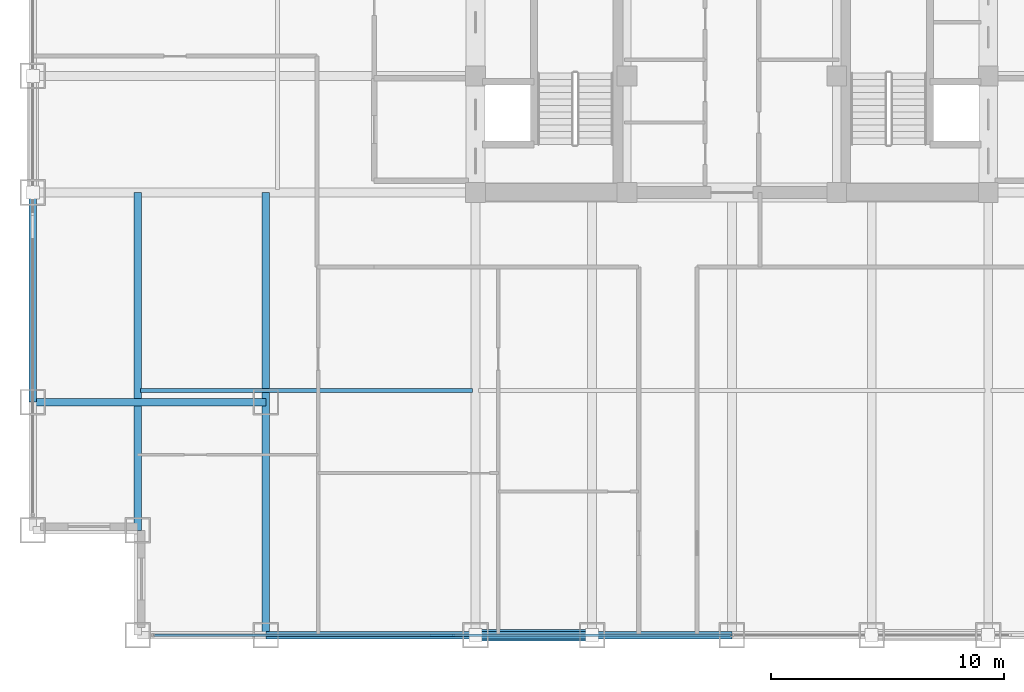
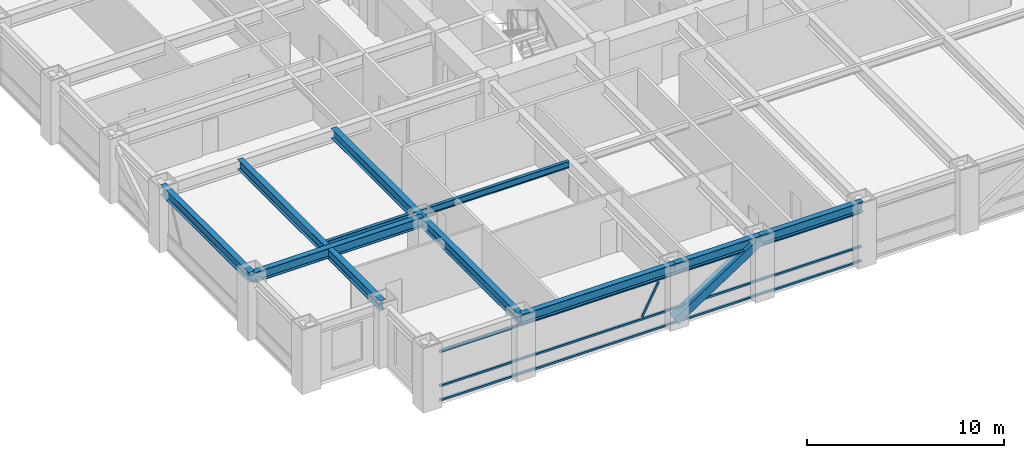
# One storey, part 3 of 24: 8 beams, 5 members, 1 element without a shape of its own.
"""IFC4 building model written with IfcOpenShell, lengths in metres."""

import ifcopenshell
import ifcopenshell.guid

model = None  # the IFC model being written
_history = None  # IfcOwnerHistory: only IFC2X3 demands one
_inside = {}  # id of a spatial element -> (the spatial element, [elements in it])
_under = {}  # id of a project, library or spatial element -> (it, [spatial elements below it])
_declared = {}  # id of a project -> (the project, [libraries it declares])
_typed = {}  # id of a type object -> (the type object, [elements of that type])
_made_of = {}  # id of a material, layer set ... -> (it, [elements and type objects made of it])


def new_model(schema):
    """Start an empty IFC model of exactly this schema.

    Asked for "IFC4X3", IfcOpenShell would pick the latest addendum, in which some entities
    have other attributes; the version numbers below select the first issue.
    IFC2X3 requires an IfcOwnerHistory on every rooted entity: one is made here for all.
    """
    global model, _history
    if schema == "IFC4X3":
        model = ifcopenshell.file(schema_version=(4, 3, 0, 0))
    else:
        model = ifcopenshell.file(schema=schema)
    _inside.clear()
    _under.clear()
    _declared.clear()
    _typed.clear()
    _made_of.clear()
    _history = None
    if model.schema == "IFC2X3":
        org = make("IfcOrganization", Name="unknown")
        user = make(
            "IfcPersonAndOrganization",
            ThePerson=make("IfcPerson", FamilyName="unknown"),
            TheOrganization=org,
        )
        app = make(
            "IfcApplication",
            ApplicationDeveloper=org,
            Version="unknown",
            ApplicationFullName="unknown",
            ApplicationIdentifier="unknown",
        )
        _history = make(
            "IfcOwnerHistory",
            OwningUser=user,
            OwningApplication=app,
            ChangeAction="ADDED",
            CreationDate=0,
        )
    return model


def make(cls, **values):
    """One entity of the class cls with the attributes given. An attribute that is None is left unset."""
    return model.create_entity(
        cls, **{name: value for name, value in values.items() if value is not None}
    )


def rooted(cls, **values):
    """An entity with a GlobalId (a new one), such as an element, a storey or a relation."""
    return make(cls, GlobalId=ifcopenshell.guid.new(), OwnerHistory=_history, **values)


def si_unit(unit_type, name, prefix=None):
    """IfcSIUnit, for example si_unit("LENGTHUNIT", "METRE", prefix="MILLI")."""
    return make("IfcSIUnit", UnitType=unit_type, Prefix=prefix, Name=name)


def assignment(units):
    """IfcUnitAssignment: the units of a project."""
    return None if units is None else make("IfcUnitAssignment", Units=units)


def point(xyz):
    """IfcCartesianPoint."""
    return None if xyz is None else make("IfcCartesianPoint", Coordinates=xyz)


def direction(xyz):
    """IfcDirection."""
    return None if xyz is None else make("IfcDirection", DirectionRatios=xyz)


def frame(location, z_axis=None, x_axis=None):
    """IfcAxis2Placement3D, a coordinate frame: its origin and axes. An axis left out is left unset."""
    return make(
        "IfcAxis2Placement3D",
        Location=point(location),
        Axis=direction(z_axis),
        RefDirection=direction(x_axis),
    )


def frame_2d(location, x_axis=None):
    """IfcAxis2Placement2D, a coordinate frame in the plane: its origin and x axis."""
    return make(
        "IfcAxis2Placement2D", Location=point(location), RefDirection=direction(x_axis)
    )


def origin():
    """The frame at (0, 0, 0) with its axes left unset."""
    return frame((0.0, 0.0, 0.0))


def origin_2d():
    """The frame at (0, 0) in the plane with its x axis left unset."""
    return frame_2d((0.0, 0.0))


def place(relative_to, where):
    """IfcLocalPlacement: puts the frame where relative to a parent placement (None: the world)."""
    return make(
        "IfcLocalPlacement", PlacementRelTo=relative_to, RelativePlacement=where
    )


def context(
    kind, dimensions, precision=None, world=None, true_north=None, identifier=None
):
    """IfcGeometricRepresentationContext, for example the 3D "Model" context."""
    return make(
        "IfcGeometricRepresentationContext",
        ContextIdentifier=identifier,
        ContextType=kind,
        CoordinateSpaceDimension=dimensions,
        Precision=precision,
        WorldCoordinateSystem=world,
        TrueNorth=true_north,
    )


def subcontext(parent, identifier, kind, view, scale=None):
    """IfcGeometricRepresentationSubContext, for example "Body" below "Model"."""
    return make(
        "IfcGeometricRepresentationSubContext",
        ContextIdentifier=identifier,
        ContextType=kind,
        ParentContext=parent,
        TargetScale=scale,
        TargetView=view,
    )


def project(units=None, contexts=None):
    """IfcProject with its units and contexts."""
    return rooted(
        "IfcProject",
        Name="project",
        RepresentationContexts=contexts,
        UnitsInContext=assignment(units),
    )


def spatial(cls, under=None, at=None, **own):
    """A site, building, storey or space (cls), placed at a placement, below another one or the project."""
    s = rooted(cls, ObjectPlacement=at, **own)
    if under is not None:
        _under.setdefault(under.id(), (under, []))[1].append(s)
    return s


def profile(cls, at=None, kind="AREA", **sizes):
    """A parametric profile (cls). Its sizes go by their IFC names, for example OverallWidth=200.0."""
    return make(cls, ProfileType=kind, Position=at, **sizes)


def hollow_rectangle(**sizes):
    """IfcRectangleHollowProfileDef."""
    return profile("IfcRectangleHollowProfileDef", **sizes)


def i_section(**sizes):
    """IfcIShapeProfileDef."""
    return profile("IfcIShapeProfileDef", **sizes)


def extrude(swept, where, along, depth):
    """IfcExtrudedAreaSolid: the profile swept, set in the frame where, extruded along a direction by depth."""
    return make(
        "IfcExtrudedAreaSolid",
        SweptArea=swept,
        Position=where,
        ExtrudedDirection=direction(along),
        Depth=depth,
    )


def shape(context_of_items, identifier, shape_type, items):
    """IfcShapeRepresentation: the items that make up one representation, for example the "Body"."""
    return make(
        "IfcShapeRepresentation",
        ContextOfItems=context_of_items,
        RepresentationIdentifier=identifier,
        RepresentationType=shape_type,
        Items=items,
    )


def source(mapping_origin, context_of_items, identifier, shape_type, items):
    """IfcRepresentationMap: a shape defined once, which mapped items show again and again."""
    return make(
        "IfcRepresentationMap",
        MappingOrigin=mapping_origin,
        MappedRepresentation=shape(context_of_items, identifier, shape_type, items),
    )


def transform(
    local_origin,
    x_axis=None,
    y_axis=None,
    z_axis=None,
    scale=None,
    scale2=None,
    scale3=None,
    uniform=True,
):
    """IfcCartesianTransformationOperator3D, or its non-uniform kind. x_axis, y_axis, z_axis: its Axis1, 2, 3."""
    if uniform:
        return make(
            "IfcCartesianTransformationOperator3D",
            Axis1=direction(x_axis),
            Axis2=direction(y_axis),
            LocalOrigin=point(local_origin),
            Scale=scale,
            Axis3=direction(z_axis),
        )
    return make(
        "IfcCartesianTransformationOperator3DnonUniform",
        Axis1=direction(x_axis),
        Axis2=direction(y_axis),
        LocalOrigin=point(local_origin),
        Scale=scale,
        Axis3=direction(z_axis),
        Scale2=scale2,
        Scale3=scale3,
    )


def mapped(mapping_source, mapping_target):
    """IfcMappedItem: shows the shape of a source again, moved by a transform."""
    return make(
        "IfcMappedItem", MappingSource=mapping_source, MappingTarget=mapping_target
    )


def material(Name=None, Category=None):
    """IfcMaterial."""
    return make("IfcMaterial", Name=Name, Category=Category)


def material_profile(
    of_material, cross_section, Name=None, Category=None, Priority=None
):
    """IfcMaterialProfile: a cross section and its material."""
    return make(
        "IfcMaterialProfile",
        Name=Name,
        Material=of_material,
        Profile=cross_section,
        Priority=Priority,
        Category=Category,
    )


def profile_set(profiles, Name=None, composite=None):
    """IfcMaterialProfileSet."""
    return make(
        "IfcMaterialProfileSet",
        Name=Name,
        MaterialProfiles=profiles,
        CompositeProfile=composite,
    )


def made_of(thing, what):
    """Note that an element or type object is made of a material, layer set ...; save() writes the relation."""
    if what is not None:
        _made_of.setdefault(what.id(), (what, []))[1].append(thing)
    return thing


def type_object(cls, material=None, **own):
    """A type object (cls), such as IfcWallType, which elements share."""
    return made_of(rooted(cls, **own), material)


def element(
    cls,
    number,
    at=None,
    inside=None,
    cuts=None,
    type_object=None,
    material=None,
    context=None,
    identifier="Body",
    shape_type=None,
    held_by="IfcProductDefinitionShape",
    body=None,
    shapes=None,
    **own,
):
    """One element of the class cls, such as IfcWall. Its Tag is "e" and its number.

    at: its placement. inside: the storey or other place that contains it. cuts: it is an
    opening in that element (IfcRelVoidsElement). A single representation is given by context,
    identifier, shape_type and body (its items); several are given by shapes. held_by: the class
    of the entity that holds the representations. save() writes the other relations.
    """
    e = rooted(cls, Tag="e%d" % number, ObjectPlacement=at, **own)
    if body is not None:
        shapes = [shape(context, identifier, shape_type, body)]
    if shapes is not None:
        e.Representation = make(held_by, Representations=shapes)
    if inside is not None:
        _inside.setdefault(inside.id(), (inside, []))[1].append(e)
    if cuts is not None:
        rooted(
            "IfcRelVoidsElement", RelatingBuildingElement=cuts, RelatedOpeningElement=e
        )
    if type_object is not None:
        _typed.setdefault(type_object.id(), (type_object, []))[1].append(e)
    return made_of(e, material)


def aggregate(whole, parts):
    """IfcRelAggregates: a whole, such as a stair, and the parts it consists of."""
    return rooted("IfcRelAggregates", RelatingObject=whole, RelatedObjects=parts)


def save(model, path):
    """Write the relations noted so far, then the file.

    IfcRelAggregates (storeys below a building ...), IfcRelContainedInSpatialStructure (elements
    in a storey), IfcRelDefinesByType, IfcRelAssociatesMaterial and IfcRelDeclares: one each for
    every whole, place, type object, material and project.
    """
    for whole, parts in _under.values():
        aggregate(whole, parts)
    for where, things in _inside.values():
        rooted(
            "IfcRelContainedInSpatialStructure",
            RelatedElements=things,
            RelatingStructure=where,
        )
    for kind, things in _typed.values():
        rooted("IfcRelDefinesByType", RelatedObjects=things, RelatingType=kind)
    for what, things in _made_of.values():
        rooted("IfcRelAssociatesMaterial", RelatedObjects=things, RelatingMaterial=what)
    for by, libraries in _declared.values():
        rooted("IfcRelDeclares", RelatingContext=by, RelatedDefinitions=libraries)
    model.write(path)


model = new_model("IFC4")

# Units and contexts
model_context = context("Model", 3, precision=1e-05, world=origin(), true_north=direction((0.0, 1.0)))
body_context = subcontext(model_context, "Body", "Model", "MODEL_VIEW")
ifc_project = project(units=[si_unit("LENGTHUNIT", "METRE"), si_unit("AREAUNIT", "SQUARE_METRE"), si_unit("VOLUMEUNIT", "CUBIC_METRE"), si_unit("PLANEANGLEUNIT", "RADIAN"), si_unit("MASSUNIT", "GRAM", prefix="KILO")], contexts=[model_context])

# Site, building, storey
site_placement = place(None, origin())
site = spatial("IfcSite", under=ifc_project, at=site_placement, CompositionType="ELEMENT")
building_placement = place(site_placement, origin())
building = spatial("IfcBuilding", under=site, at=building_placement, Name="Khorayat Bourse Tower", CompositionType="ELEMENT")
storey_placement = place(building_placement, frame((0.0, 0.0, 179.10009765625)))
storey = spatial("IfcBuildingStorey", under=building, at=storey_placement, Name="L41", CompositionType="ELEMENT", Elevation=179.10009765625)

# Beams
ifc_material_1 = material(Name="Steel ASTM A992 Grade 50", Category="steel")
ifc_material_profile_1 = material_profile(ifc_material_1, i_section(OverallWidth=0.324951171875, OverallDepth=0.615966796875, WebThickness=0.013916015625, FlangeThickness=0.021484375, FilletRadius=0.01611328125, at=origin_2d()), Name="W610X174")
ifc_profile_set_1 = profile_set([ifc_material_profile_1], Name="Steel ASTM A992 Grade 50")
beam_type_1 = type_object("IfcBeamType", Name="BM-GIRD-610", PredefinedType="BEAM", material=ifc_profile_set_1)
shared_shape_1 = source(origin(), body_context, "Body", "SweptSolid", [
    extrude(i_section(OverallWidth=0.324951171875, OverallDepth=0.615966796875, WebThickness=0.013916015625, FlangeThickness=0.021484375, FilletRadius=0.01611328125, at=origin_2d()), origin(), (0.0, 0.0, 1.0), 19.0),
])
beam_1_placement = place(storey_placement, frame((-20.0, -30.0, 3.471923828125), z_axis=(0.0, 1.0, 0.0), x_axis=(-1.0, 0.0, 0.0)))
element("IfcBeam", 1, at=beam_1_placement, inside=storey, type_object=beam_type_1, Name="L41 BM-GIRD-610 BM-L41-CNRY-084", PredefinedType="BEAM", context=body_context, shape_type="MappedRepresentation", body=[
    mapped(shared_shape_1, transform((0.0, 0.0, 0.0), scale=1.0)),
])
shared_shape_2 = source(origin(), body_context, "Body", "SweptSolid", [
    extrude(i_section(OverallWidth=0.324951171875, OverallDepth=0.615966796875, WebThickness=0.013916015625, FlangeThickness=0.021484375, FilletRadius=0.01611328125, at=origin_2d()), origin(), (0.0, 0.0, 1.0), 14.5),
])
beam_2_placement = place(storey_placement, frame((-25.5, -25.5, 3.471923828125), z_axis=(0.0, 1.0, 0.0), x_axis=(-1.0, 0.0, 0.0)))
element("IfcBeam", 2, at=beam_2_placement, inside=storey, type_object=beam_type_1, Name="L41 BM-GIRD-610 BM-L41-CNRY-088", PredefinedType="BEAM", context=body_context, shape_type="MappedRepresentation", body=[
    mapped(shared_shape_2, transform((0.0, 0.0, 0.0), scale=1.0)),
])
shared_shape_3 = source(origin(), body_context, "Body", "SweptSolid", [
    extrude(i_section(OverallWidth=0.324951171875, OverallDepth=0.615966796875, WebThickness=0.013916015625, FlangeThickness=0.021484375, FilletRadius=0.01611328125, at=origin_2d()), origin(), (0.0, 0.0, 1.0), 10.0),
])
beam_3_placement = place(storey_placement, frame((-30.0, -20.0, 3.471923828125), z_axis=(1.0, 0.0, 0.0), x_axis=(0.0, 1.0, 0.0)))
element("IfcBeam", 3, at=beam_3_placement, inside=storey, type_object=beam_type_1, Name="L41 BM-GIRD-610 BM-L41-CNRX-093", PredefinedType="BEAM", context=body_context, shape_type="MappedRepresentation", body=[
    mapped(shared_shape_3, transform((0.0, 0.0, 0.0), scale=1.0)),
])
ifc_material_profile_2 = material_profile(ifc_material_1, i_section(OverallWidth=0.180908203125, OverallDepth=0.4169921875, WebThickness=0.010986328125, FlangeThickness=0.018310546875, FilletRadius=0.011962890625, at=origin_2d()), Name="W410X85")
ifc_profile_set_2 = profile_set([ifc_material_profile_2], Name="Steel ASTM A992 Grade 50")
beam_type_2 = type_object("IfcBeamType", Name="BM-JOIST-410", PredefinedType="JOIST", material=ifc_profile_set_2)
shared_shape_4 = source(origin(), body_context, "Body", "SweptSolid", [
    extrude(i_section(OverallWidth=0.180908203125, OverallDepth=0.4169921875, WebThickness=0.010986328125, FlangeThickness=0.018310546875, FilletRadius=0.011962890625, at=origin_2d()), origin(), (0.0, 0.0, 1.0), 14.240234375),
])
beam_4_placement = place(storey_placement, frame((-25.3701171875, -19.5, 3.5712890625), z_axis=(1.0, 0.0, 0.0), x_axis=(0.0, 1.0, 0.0)))
element("IfcBeam", 4, at=beam_4_placement, inside=storey, type_object=beam_type_2, Name="L41 BM-JOIST-410 BM-L41-JSTX-096", PredefinedType="JOIST", context=body_context, shape_type="MappedRepresentation", body=[
    mapped(shared_shape_4, transform((0.0, 0.0, 0.0), scale=1.0)),
])
ifc_material_profile_3 = material_profile(ifc_material_1, i_section(OverallWidth=0.324951171875, OverallDepth=0.615966796875, WebThickness=0.013916015625, FlangeThickness=0.021484375, FilletRadius=0.01611328125, at=origin_2d()), Name="W610X174")
ifc_profile_set_3 = profile_set([ifc_material_profile_3], Name="Steel ASTM A992 Grade 50")
beam_type_3 = type_object("IfcBeamType", Name="BM-SPAN-610", PredefinedType="SPANDREL", material=ifc_profile_set_3)
shared_shape_5 = source(origin(), body_context, "Body", "SweptSolid", [
    extrude(i_section(OverallWidth=0.324951171875, OverallDepth=0.615966796875, WebThickness=0.013916015625, FlangeThickness=0.021484375, FilletRadius=0.01611328125, at=origin_2d()), origin(), (0.0, 0.0, 1.0), 9.0),
])
for number, where, z_axis, x_axis, name in (
    (5, (-20.0, -30.0, 3.471923828125), (1.0, 0.0, 0.0), (0.0, 1.0, 0.0), "L41 BM-SPAN-610 BM-L41-SPN-025"),
    (6, (-30.0, -20.0, 3.471923828125), (0.0, 1.0, 0.0), (-1.0, 0.0, 0.0), "L41 BM-SPAN-610 BM-L41-SPN-060"),
):
    element("IfcBeam", number, at=place(storey_placement, frame(where, z_axis=z_axis, x_axis=x_axis)), inside=storey, type_object=beam_type_3, Name=name, PredefinedType="SPANDREL", context=body_context, shape_type="MappedRepresentation", body=[
        mapped(shared_shape_5, transform((0.0, 0.0, 0.0), scale=1.0)),
    ])
shared_shape_6 = source(origin(), body_context, "Body", "SweptSolid", [
    extrude(i_section(OverallWidth=0.324951171875, OverallDepth=0.615966796875, WebThickness=0.013916015625, FlangeThickness=0.021484375, FilletRadius=0.01611328125, at=origin_2d()), origin(), (0.0, 0.0, 1.0), 5.0),
])
beam_5_placement = place(storey_placement, frame((-11.0, -30.0, 3.471923828125), z_axis=(1.0, 0.0, 0.0), x_axis=(0.0, 1.0, 0.0)))
element("IfcBeam", 7, at=beam_5_placement, inside=storey, type_object=beam_type_3, Name="L41 BM-SPAN-610 BM-L41-SPN-026", PredefinedType="SPANDREL", context=body_context, shape_type="MappedRepresentation", body=[
    mapped(shared_shape_6, transform((0.0, 0.0, 0.0), scale=1.0)),
])
shared_shape_7 = source(origin(), body_context, "Body", "SweptSolid", [
    extrude(i_section(OverallWidth=0.324951171875, OverallDepth=0.615966796875, WebThickness=0.013916015625, FlangeThickness=0.021484375, FilletRadius=0.01611328125, at=origin_2d()), origin(), (0.0, 0.0, 1.0), 6.0),
])
beam_6_placement = place(storey_placement, frame((-6.0, -30.0, 3.471923828125), z_axis=(1.0, 0.0, 0.0), x_axis=(0.0, 1.0, 0.0)))
element("IfcBeam", 8, at=beam_6_placement, inside=storey, type_object=beam_type_3, Name="L41 BM-SPAN-610 BM-L41-SPN-027", PredefinedType="SPANDREL", context=body_context, shape_type="MappedRepresentation", body=[
    mapped(shared_shape_7, transform((0.0, 0.0, 0.0), scale=1.0)),
])

# Member
ifc_material_2 = material(Name="Steel EN 10025-4 S460M", Category="steel")
ifc_material_profile_4 = material_profile(ifc_material_2, hollow_rectangle(XDim=0.5, YDim=0.5, WallThickness=0.028076171875, at=origin_2d()), Name="HSS 500x500x28")
ifc_profile_set_4 = profile_set([ifc_material_profile_4], Name="Steel EN 10025-4 S460M")
member_type_1 = type_object("IfcMemberType", Name="MBR-TUBE-500", PredefinedType="BRACE", material=ifc_profile_set_4)
shared_shape_8 = source(origin(), body_context, "Body", "SweptSolid", [
    extrude(hollow_rectangle(XDim=0.5, YDim=0.5, WallThickness=0.028076171875, at=origin_2d()), origin(), (0.0, 0.0, 1.0), 5.979736328125),
])
member_1_placement = place(storey_placement, frame((-11.0, -30.0, 0.25), z_axis=(0.836160261256, 0.0, 0.548485202623), x_axis=(0.0, 1.0, 0.0)))
element("IfcMember", 9, at=member_1_placement, inside=storey, type_object=member_type_1, Name="L41 Perimeter Tube Brace 01", PredefinedType="BRACE", context=body_context, shape_type="MappedRepresentation", body=[
    mapped(shared_shape_8, transform((0.0, 0.0, 0.0), scale=1.0)),
])

# Curtain wall, members
ifc_material_3 = material(Name="Aluminium EN AW-6063 T6", Category="aluminium")
curtain_wall_type = type_object("IfcCurtainWallType", Name="CW-SYS-03", PredefinedType="NOTDEFINED", material=ifc_material_3)
curtain_wall_placement = place(storey_placement, origin())
curtain_wall = element("IfcCurtainWall", 10, at=curtain_wall_placement, inside=storey, type_object=curtain_wall_type, Name="L41 Curtain Wall CW-L41-S1", PredefinedType="NOTDEFINED")
ifc_material_profile_5 = material_profile(ifc_material_3, hollow_rectangle(XDim=0.1201171875, YDim=0.1201171875, WallThickness=0.0048828125, at=origin_2d()), Name="ALU 120x120x5")
ifc_profile_set_5 = profile_set([ifc_material_profile_5], Name="Aluminium EN AW-6063 T6")
member_type_2 = type_object("IfcMemberType", Name="CWM-DIAG-120", PredefinedType="MULLION", material=ifc_profile_set_5)
shared_shape_9 = source(origin(), body_context, "Body", "SweptSolid", [
    extrude(hollow_rectangle(XDim=0.1201171875, YDim=0.1201171875, WallThickness=0.0048828125, at=origin_2d()), origin(), (0.0, 0.0, 1.0), 2.079345703125),
])
member_2_placement = place(storey_placement, frame((-12.904296875, -30.0, 1.08984375), z_axis=(0.465760949701, 0.0, 0.884910581773), x_axis=(0.0, 1.0, 0.0)))
member_2 = element("IfcMember", 11, at=member_2_placement, type_object=member_type_2, Name="CW-L41-S1 Faceted Diagonal Mullion 1", PredefinedType="MULLION", context=body_context, shape_type="MappedRepresentation", body=[
    mapped(shared_shape_9, transform((0.0, 0.0, 0.0), scale=1.0)),
])
ifc_material_profile_6 = material_profile(ifc_material_3, hollow_rectangle(XDim=0.1201171875, YDim=0.1201171875, WallThickness=0.0048828125, at=origin_2d()), Name="ALU 120x120x5")
ifc_profile_set_6 = profile_set([ifc_material_profile_6], Name="Aluminium EN AW-6063 T6")
member_type_3 = type_object("IfcMemberType", Name="CWT-HORZ-120", PredefinedType="USERDEFINED", material=ifc_profile_set_6)
shared_shape_10 = source(origin(), body_context, "Body", "SweptSolid", [
    extrude(hollow_rectangle(XDim=0.1201171875, YDim=0.1201171875, WallThickness=0.0048828125, at=origin_2d()), origin(), (0.0, 0.0, 1.0), 24.719970703125),
])
member_3_placement = place(storey_placement, frame((-24.780029296875, -30.0, 0.059814453125), z_axis=(1.0, 0.0, 0.0), x_axis=(0.0, 1.0, 0.0)))
member_3 = element("IfcMember", 12, at=member_3_placement, type_object=member_type_3, Name="CW-L41-S1 Horizontal Transom 1-1", ObjectType="TRANSOM", PredefinedType="USERDEFINED", context=body_context, shape_type="MappedRepresentation", body=[
    mapped(shared_shape_10, transform((0.0, 0.0, 0.0), scale=1.0)),
])
member_4_placement = place(storey_placement, frame((-24.780029296875, -30.0, 0.949951171875), z_axis=(1.0, 0.0, 0.0), x_axis=(0.0, 1.0, 0.0)))
member_4 = element("IfcMember", 13, at=member_4_placement, type_object=member_type_3, Name="CW-L41-S1 Horizontal Transom 1-2", ObjectType="TRANSOM", PredefinedType="USERDEFINED", context=body_context, shape_type="MappedRepresentation", body=[
    mapped(shared_shape_10, transform((0.0, 0.0, 0.0), scale=1.0)),
])
member_5_placement = place(storey_placement, frame((-24.780029296875, -30.0, 3.06982421875), z_axis=(1.0, 0.0, 0.0), x_axis=(0.0, 1.0, 0.0)))
member_5 = element("IfcMember", 14, at=member_5_placement, type_object=member_type_3, Name="CW-L41-S1 Horizontal Transom 1-3", ObjectType="TRANSOM", PredefinedType="USERDEFINED", context=body_context, shape_type="MappedRepresentation", body=[
    mapped(shared_shape_10, transform((0.0, 0.0, 0.0), scale=1.0)),
])
aggregate(curtain_wall, [member_3, member_4, member_5, member_2])

save(model, "model.ifc")
